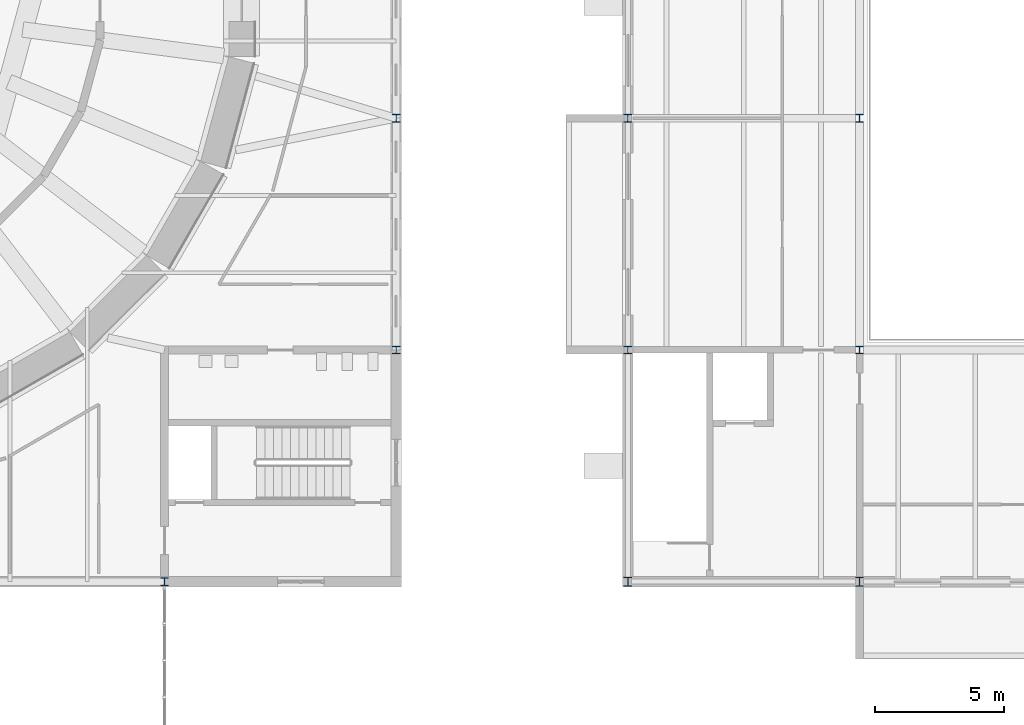
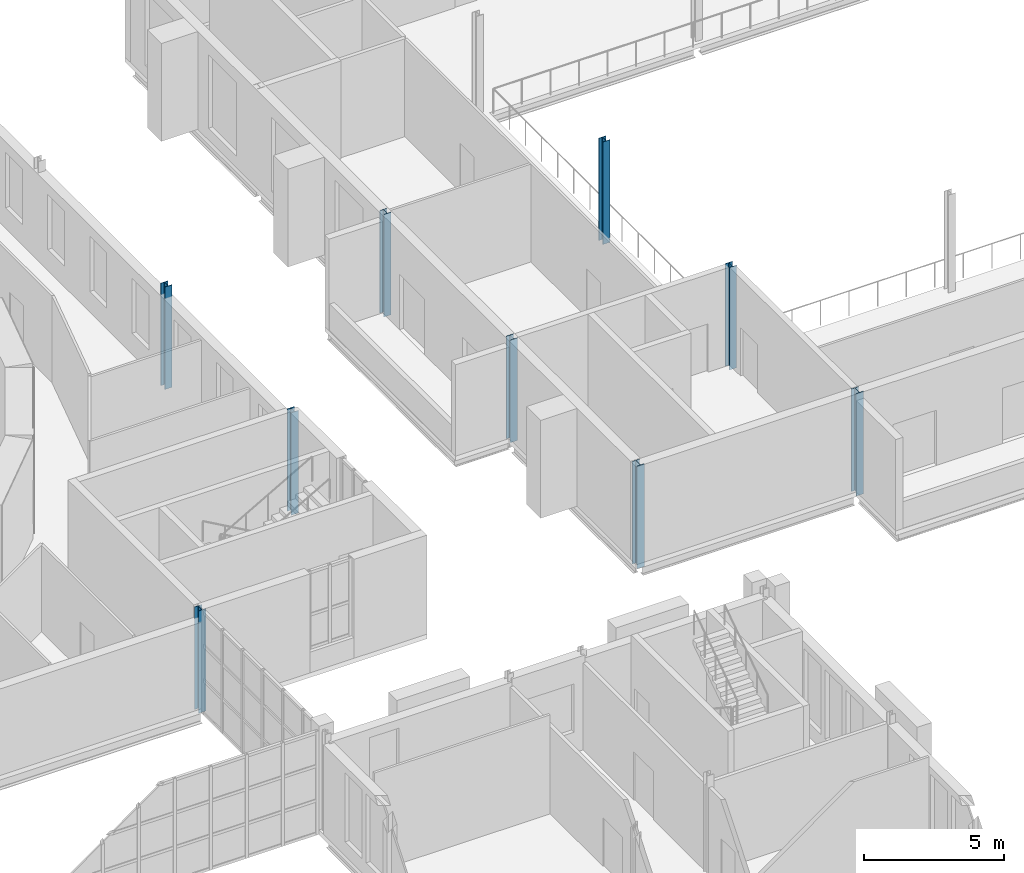
# One storey, part 12 of 131: 9 columns.
"""IFC4 building model written with IfcOpenShell, lengths in metres."""

from ifc_helpers import new_model, si_unit, direction, frame, origin, origin_2d, place, context, subcontext, project, spatial, i_section, extrude, material, material_profile, profile_set, type_object, element, save


model = new_model("IFC4")

# Units and contexts
model_context = context("Model", 3, precision=1e-05, world=origin(), true_north=direction((0.0, 1.0)))
body_context = subcontext(model_context, "Body", "Model", "MODEL_VIEW")
ifc_project = project(units=[si_unit("LENGTHUNIT", "METRE"), si_unit("AREAUNIT", "SQUARE_METRE"), si_unit("VOLUMEUNIT", "CUBIC_METRE"), si_unit("PLANEANGLEUNIT", "RADIAN"), si_unit("MASSUNIT", "GRAM", prefix="KILO")], contexts=[model_context])

# Site, building, storey
site_placement = place(None, origin())
site = spatial("IfcSite", under=ifc_project, at=site_placement, CompositionType="ELEMENT")
building_placement = place(site_placement, origin())
building = spatial("IfcBuilding", under=site, at=building_placement, Name="Golden Quay Civic Hall", CompositionType="ELEMENT")
storey_placement = place(building_placement, frame((0.0, 0.0, 9.89990234375)))
storey = spatial("IfcBuildingStorey", under=building, at=storey_placement, Name="L02", CompositionType="ELEMENT", Elevation=9.89990234375)

# Columns
ifc_material_1 = material(Name="Steel S355", Category="steel")
ifc_material_profile_1 = material_profile(ifc_material_1, i_section(OverallWidth=0.300048828125, OverallDepth=0.300048828125, WebThickness=0.010986328125, FlangeThickness=0.01904296875, FilletRadius=0.027099609375, at=origin_2d()), Name="HEB 300")
ifc_profile_set_1 = profile_set([ifc_material_profile_1], Name="Steel S355")
column_type_1 = type_object("IfcColumnType", Name="Steel column HEB 300", PredefinedType="COLUMN", material=ifc_profile_set_1)
for number, where, z_axis, x_axis, name in (
    (1, (108.0, 81.0, -0.199951171875), (0.0, 0.0, 1.0), (1.0, 0.0, 0.0), "Base column 7"),
    (2, (99.0, 63.0, -0.199951171875), (0.0, 0.0, 1.0), (1.0, 0.0, 0.0), "Base column 10"),
    (3, (108.0, 72.0, -0.199951171875), (0.0, 0.0, 1.0), (1.0, 0.0, 0.0), "Base column 15"),
    (4, (117.0, 72.0, -0.199951171875), (0.0, 0.0, 1.0), (1.0, 0.0, 0.0), "L02 column 117/72"),
    (5, (117.0, 81.0, -0.199951171875), (0.0, 0.0, 1.0), (1.0, 0.0, 0.0), "L02 column 117/81"),
    (6, (126.0, 72.0, -0.199951171875), (0.0, 0.0, 1.0), (1.0, 0.0, 0.0), "L02 column 126/72"),
    (7, (126.0, 81.0, -0.199951171875), (0.0, 0.0, 1.0), (1.0, 0.0, 0.0), "L02 column 126/81"),
):
    element("IfcColumn", number, at=place(storey_placement, frame(where, z_axis=z_axis, x_axis=x_axis)), inside=storey, type_object=column_type_1, Name=name, PredefinedType="COLUMN", context=body_context, shape_type="SweptSolid", body=[
        extrude(i_section(OverallWidth=0.300048828125, OverallDepth=0.300048828125, WebThickness=0.010986328125, FlangeThickness=0.01904296875, FilletRadius=0.027099609375, at=origin_2d()), origin(), (0.0, 0.0, 1.0), 4.449951171875),
    ])
ifc_material_2 = material(Name="Steel S355", Category="steel")
ifc_material_profile_2 = material_profile(ifc_material_2, i_section(OverallWidth=0.300048828125, OverallDepth=0.360107421875, WebThickness=0.012451171875, FlangeThickness=0.0224609375, FilletRadius=0.027099609375, at=origin_2d()), Name="HEB 360")
ifc_profile_set_2 = profile_set([ifc_material_profile_2], Name="Steel S355")
column_type_2 = type_object("IfcColumnType", Name="Steel column HEB 360", PredefinedType="COLUMN", material=ifc_profile_set_2)
for number, where, z_axis, x_axis, name in (
    (8, (117.0, 63.0, -0.199951171875), (0.0, 0.0, 1.0), (1.0, 0.0, 0.0), "L02 column 117/63"),
    (9, (126.0, 63.0, -0.199951171875), (0.0, 0.0, 1.0), (1.0, 0.0, 0.0), "L02 column 126/63"),
):
    element("IfcColumn", number, at=place(storey_placement, frame(where, z_axis=z_axis, x_axis=x_axis)), inside=storey, type_object=column_type_2, Name=name, PredefinedType="COLUMN", context=body_context, shape_type="SweptSolid", body=[
        extrude(i_section(OverallWidth=0.300048828125, OverallDepth=0.360107421875, WebThickness=0.012451171875, FlangeThickness=0.0224609375, FilletRadius=0.027099609375, at=origin_2d()), origin(), (0.0, 0.0, 1.0), 4.449951171875),
    ])

save(model, "model.ifc")
